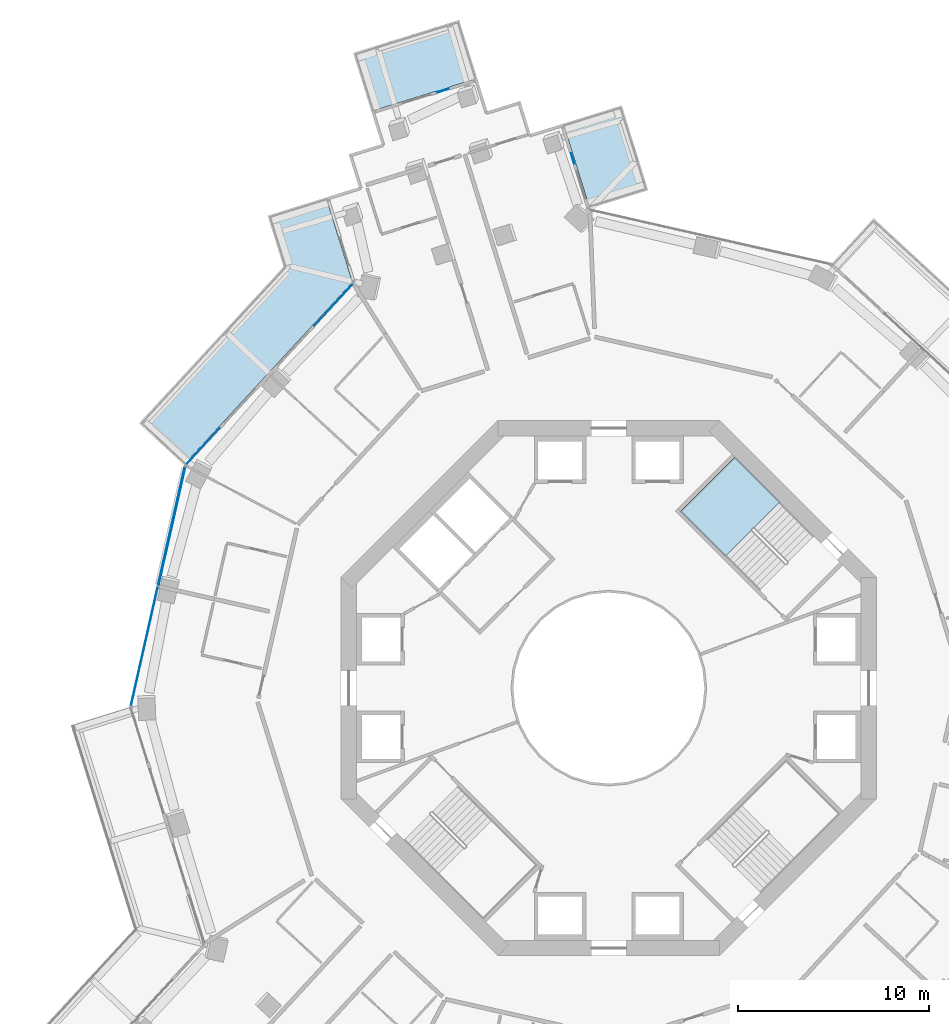
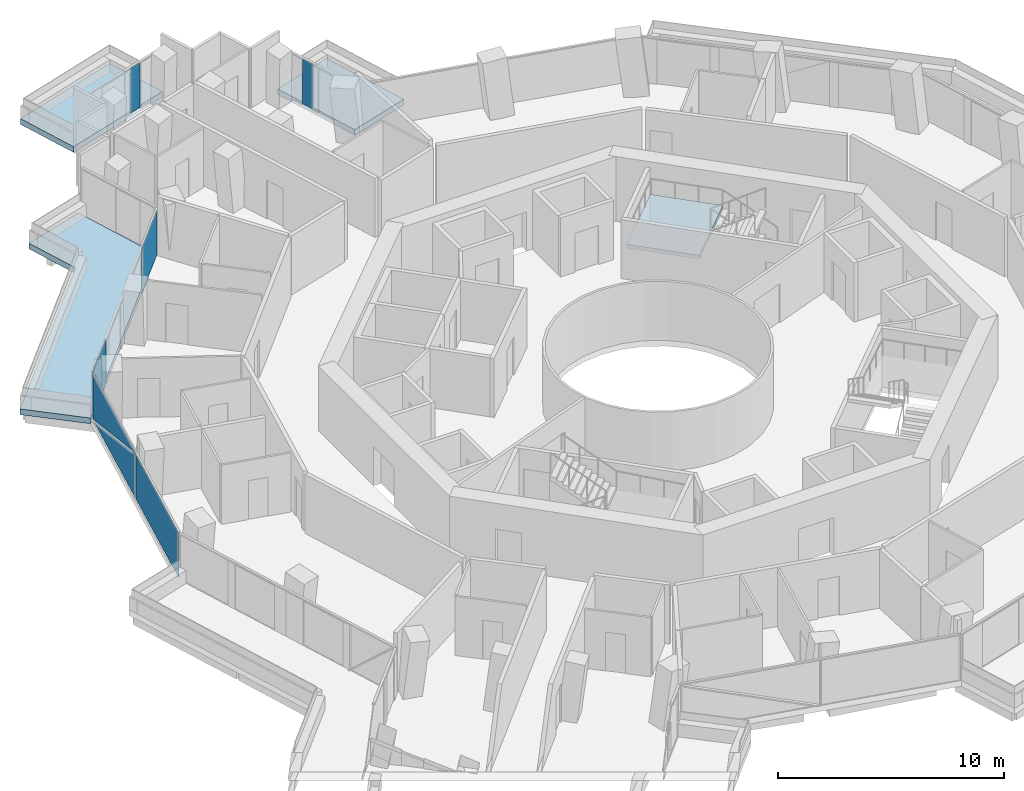
# One storey, part 15 of 25: 7 plates, 4 slabs, 5 elements without a shape of their own.
"""IFC4 building model written with IfcOpenShell, lengths in metres."""

from ifc_helpers import new_model, si_unit, direction, frame, origin, origin_2d, place, context, subcontext, project, spatial, polyline, rectangle, outline, extrude, material, layer, layer_set, type_object, element, aggregate, save


model = new_model("IFC4")

# Units and contexts
model_context = context("Model", 3, precision=1e-05, world=origin(), true_north=direction((0.0, 1.0)))
body_context = subcontext(model_context, "Body", "Model", "MODEL_VIEW")
ifc_project = project(units=[si_unit("LENGTHUNIT", "METRE"), si_unit("AREAUNIT", "SQUARE_METRE"), si_unit("VOLUMEUNIT", "CUBIC_METRE"), si_unit("PLANEANGLEUNIT", "RADIAN"), si_unit("MASSUNIT", "GRAM", prefix="KILO")], contexts=[model_context])

# Site, building, storey
site_placement = place(None, origin())
site = spatial("IfcSite", under=ifc_project, at=site_placement, CompositionType="ELEMENT")
building_placement = place(site_placement, origin())
building = spatial("IfcBuilding", under=site, at=building_placement, Name="Verdalira Terraces Hotel", CompositionType="ELEMENT")
storey_placement = place(building_placement, frame((0.0, 0.0, 103.5)))
storey = spatial("IfcBuildingStorey", under=building, at=storey_placement, Name="L24", CompositionType="ELEMENT", Elevation=103.5)

# Slabs
ifc_material_1 = material(Name="Precast concrete C40/50", Category="concrete")
ifc_layer_1 = layer(ifc_material_1, 0.31005859375)
ifc_layer_set_1 = layer_set([ifc_layer_1], Name="Balcony deck 310")
slab_type_1 = type_object("IfcSlabType", Name="Balcony deck 310", PredefinedType="FLOOR", material=ifc_layer_set_1)
slab_1_placement = place(storey_placement, frame((0.0, 0.0, -0.310059)))
element("IfcSlab", 1, at=slab_1_placement, inside=storey, type_object=slab_type_1, Name="Balcony deck", PredefinedType="FLOOR", context=body_context, shape_type="SweptSolid", body=[
    extrude(outline(polyline([(-13.373535, 33.227295), (-12.422852, 30.171631), (-6.884766, 31.894531), (-7.835205, 34.950195), (-13.373535, 33.227295)])), origin(), (0.0, 0.0, 1.0), 0.310059),
])
slab_2_placement = place(storey_placement, frame((0.0, 0.0, -0.310059)))
element("IfcSlab", 2, at=slab_2_placement, inside=storey, type_object=slab_type_1, Name="Balcony deck", PredefinedType="FLOOR", context=body_context, shape_type="SweptSolid", body=[
    extrude(outline(polyline([(-17.016602, 22.046143), (-24.582764, 13.852783), (-22.231689, 11.681885), (-13.412354, 21.232666), (-14.791016, 25.664795), (-17.84668, 24.714355), (-17.016602, 22.046143)])), origin(), (0.0, 0.0, 1.0), 0.310059),
])
slab_3_placement = place(storey_placement, frame((0.0, 0.0, -0.310059)))
element("IfcSlab", 3, at=slab_3_placement, inside=storey, type_object=slab_type_1, Name="Balcony deck", PredefinedType="FLOOR", context=body_context, shape_type="SweptSolid", body=[
    extrude(outline(polyline([(0.677734, 30.476807), (-2.37793, 29.526367), (-0.999023, 25.094238), (2.056396, 26.044678), (0.677734, 30.476807)])), origin(), (0.0, 0.0, 1.0), 0.310059),
])

# Curtain wall, plates
ifc_material_2 = material(Name="Clear glass", Category="glass")
ifc_layer_2 = layer(ifc_material_2, 0.14990234375)
ifc_layer_set_2 = layer_set([ifc_layer_2], Name="CW1 curtain wall")
curtain_wall_type_1 = type_object("IfcCurtainWallType", Name="CW1 curtain wall", PredefinedType="NOTDEFINED", material=ifc_layer_set_2)
curtain_wall_1_placement = place(storey_placement, origin())
curtain_wall_1 = element("IfcCurtainWall", 4, at=curtain_wall_1_placement, inside=storey, type_object=curtain_wall_type_1, Name="CW1 curtain wall L24 edge 11", PredefinedType="NOTDEFINED")
ifc_material_3 = material(Name="Clear glass", Category="glass")
ifc_layer_3 = layer(ifc_material_3, 0.028076171875)
ifc_layer_set_3 = layer_set([ifc_layer_3], Name="CW1 glass unit 28")
plate_type_1 = type_object("IfcPlateType", Name="CW1 glass unit 28", PredefinedType="CURTAIN_PANEL", material=ifc_layer_set_3)
plate_1_placement = place(storey_placement, frame((-14.403809, 20.048584, 0.0), z_axis=(0.0, 0.0, 1.0), x_axis=(-0.678416162, -0.734677828, 0.0)))
plate_1 = element("IfcPlate", 5, at=plate_1_placement, type_object=plate_type_1, Name="CW1 glass unit", PredefinedType="CURTAIN_PANEL", context=body_context, shape_type="SweptSolid", body=[
    extrude(rectangle(XDim=2.965088, YDim=0.028076, at=origin_2d()), origin(), (0.0, 0.0, 1.0), 2.425049),
])
plate_2_placement = place(storey_placement, frame((-21.23877, 12.646484, 0.0), z_axis=(0.0, 0.0, 1.0), x_axis=(-0.678416162, -0.734677828, 0.0)))
plate_2 = element("IfcPlate", 6, at=plate_2_placement, type_object=plate_type_1, Name="CW1 glass unit", PredefinedType="CURTAIN_PANEL", context=body_context, shape_type="SweptSolid", body=[
    extrude(rectangle(XDim=2.564209, YDim=0.028076, at=origin_2d()), origin(), (0.0, 0.0, 1.0), 2.425049),
])
aggregate(curtain_wall_1, [plate_1, plate_2])

curtain_wall_2_placement = place(storey_placement, origin())
curtain_wall_2 = element("IfcCurtainWall", 7, at=curtain_wall_2_placement, inside=storey, type_object=curtain_wall_type_1, Name="CW1 curtain wall L24 edge 12", PredefinedType="NOTDEFINED")
plate_3_placement = place(storey_placement, frame((-22.868164, 8.457764, 1.212402), z_axis=(-0.975457744, 0.220186717, 0.0), x_axis=(-0.220186717, -0.975457744, 0.0)))
plate_3 = element("IfcPlate", 8, at=plate_3_placement, type_object=plate_type_1, Name="CW1 glass unit", PredefinedType="CURTAIN_PANEL", context=body_context, shape_type="SweptSolid", body=[
    extrude(outline(polyline([(-3.185059, -1.212402), (3.185059, -1.212402), (3.185059, 1.212402), (-3.185059, -1.212402)])), origin(), (0.0, 0.0, 1.0), 0.028076),
])
plate_4_placement = place(storey_placement, frame((-22.839844, 8.451416, 1.212402), z_axis=(-0.975457744, 0.220186717, 0.0), x_axis=(-0.220186717, -0.975457744, 0.0)))
plate_4 = element("IfcPlate", 9, at=plate_4_placement, type_object=plate_type_1, Name="CW1 glass unit", PredefinedType="CURTAIN_PANEL", context=body_context, shape_type="SweptSolid", body=[
    extrude(outline(polyline([(-3.185059, -1.212402), (3.185059, 1.212402), (-3.185059, 1.212402), (-3.185059, -1.212402)])), origin(), (0.0, 0.0, 1.0), 0.028076),
])
plate_5_placement = place(storey_placement, frame((-24.297607, 2.188965, 0.0), z_axis=(0.0, 0.0, 1.0), x_axis=(-0.220186717, -0.975457744, 0.0)))
plate_5 = element("IfcPlate", 10, at=plate_5_placement, type_object=plate_type_1, Name="CW1 glass unit", PredefinedType="CURTAIN_PANEL", context=body_context, shape_type="SweptSolid", body=[
    extrude(rectangle(XDim=6.369873, YDim=0.028076, at=origin_2d()), origin(), (0.0, 0.0, 1.0), 2.425049),
])
aggregate(curtain_wall_2, [plate_3, plate_4, plate_5])

# Curtain wall, plate
ifc_material_4 = material(Name="Clear glass", Category="glass")
ifc_layer_4 = layer(ifc_material_4, 0.14990234375)
ifc_layer_set_4 = layer_set([ifc_layer_4], Name="CW2 curtain wall")
curtain_wall_type_2 = type_object("IfcCurtainWallType", Name="CW2 curtain wall", PredefinedType="NOTDEFINED", material=ifc_layer_set_4)
curtain_wall_3_placement = place(storey_placement, origin())
curtain_wall_3 = element("IfcCurtainWall", 11, at=curtain_wall_3_placement, inside=storey, type_object=curtain_wall_type_2, Name="CW2 curtain wall L24 edge 0", PredefinedType="NOTDEFINED")
ifc_material_5 = material(Name="Clear glass", Category="glass")
ifc_layer_5 = layer(ifc_material_5, 0.031982421875)
ifc_layer_set_5 = layer_set([ifc_layer_5], Name="CW2 glass unit 32")
plate_type_2 = type_object("IfcPlateType", Name="CW2 glass unit 32", PredefinedType="CURTAIN_PANEL", material=ifc_layer_set_5)
plate_6_placement = place(storey_placement, frame((-1.889648, 27.704346, 0.0), z_axis=(0.0, 0.0, 1.0), x_axis=(-0.297041582, 0.954864545, 0.0)))
plate_6 = element("IfcPlate", 12, at=plate_6_placement, type_object=plate_type_2, Name="CW2 glass unit", PredefinedType="CURTAIN_PANEL", context=body_context, shape_type="SweptSolid", body=[
    extrude(rectangle(XDim=0.58667, YDim=0.031982, at=origin_2d()), origin(), (0.0, 0.0, 1.0), 2.425049),
])
aggregate(curtain_wall_3, [plate_6])

ifc_material_6 = material(Name="Clear glass", Category="glass")
ifc_layer_6 = layer(ifc_material_6, 0.14990234375)
ifc_layer_set_6 = layer_set([ifc_layer_6], Name="CW3 curtain wall")
curtain_wall_type_3 = type_object("IfcCurtainWallType", Name="CW3 curtain wall", PredefinedType="NOTDEFINED", material=ifc_layer_set_6)
curtain_wall_4_placement = place(storey_placement, origin())
curtain_wall_4 = element("IfcCurtainWall", 13, at=curtain_wall_4_placement, inside=storey, type_object=curtain_wall_type_3, Name="CW3 curtain wall L24 edge 5", PredefinedType="NOTDEFINED")
ifc_material_7 = material(Name="Clear glass", Category="glass")
ifc_layer_7 = layer(ifc_material_7, 0.035888671875)
ifc_layer_set_7 = layer_set([ifc_layer_7], Name="CW3 glass unit 36")
plate_type_3 = type_object("IfcPlateType", Name="CW3 glass unit 36", PredefinedType="CURTAIN_PANEL", material=ifc_layer_set_7)
plate_7_placement = place(storey_placement, frame((-8.66626, 31.261719, 0.0), z_axis=(0.0, 0.0, 1.0), x_axis=(-0.954864545, -0.297041582, 0.0)))
plate_7 = element("IfcPlate", 14, at=plate_7_placement, type_object=plate_type_3, Name="CW3 glass unit", PredefinedType="CURTAIN_PANEL", context=body_context, shape_type="SweptSolid", body=[
    extrude(rectangle(XDim=0.62207, YDim=0.035889, at=origin_2d()), origin(), (0.0, 0.0, 1.0), 2.425049),
])
aggregate(curtain_wall_4, [plate_7])

# Stair, slab
ifc_material_8 = material(Name="Concrete C40", Category="concrete")
stair_type = type_object("IfcStairType", Name="Core stair 20 risers 1950 mm wide", PredefinedType="HALF_TURN_STAIR", material=ifc_material_8)
stair_placement = place(storey_placement, origin())
stair = element("IfcStair", 15, at=stair_placement, inside=storey, type_object=stair_type, Name="L24 Exit stair ST1", PredefinedType="HALF_TURN_STAIR")
ifc_material_9 = material(Name="Concrete C40", Category="concrete")
ifc_layer_8 = layer(ifc_material_9, 0.199951171875)
ifc_layer_set_8 = layer_set([ifc_layer_8], Name="Core stair landing 200 mm")
slab_type_2 = type_object("IfcSlabType", Name="Core stair landing 200 mm", PredefinedType="LANDING", material=ifc_layer_set_8)
slab_4_placement = place(storey_placement, frame((0.0, 0.0, 1.550049)))
slab_4 = element("IfcSlab", 16, at=slab_4_placement, type_object=slab_type_2, Name="ST1 landing 1", PredefinedType="LANDING", context=body_context, shape_type="SweptSolid", body=[
    extrude(outline(polyline([(8.931152, 9.736572), (6.576172, 12.091553), (3.747559, 9.263184), (6.102783, 6.907959), (8.931152, 9.736572)])), origin(), (0.0, 0.0, 1.0), 0.199951),
])
aggregate(stair, [slab_4])

save(model, "model.ifc")
